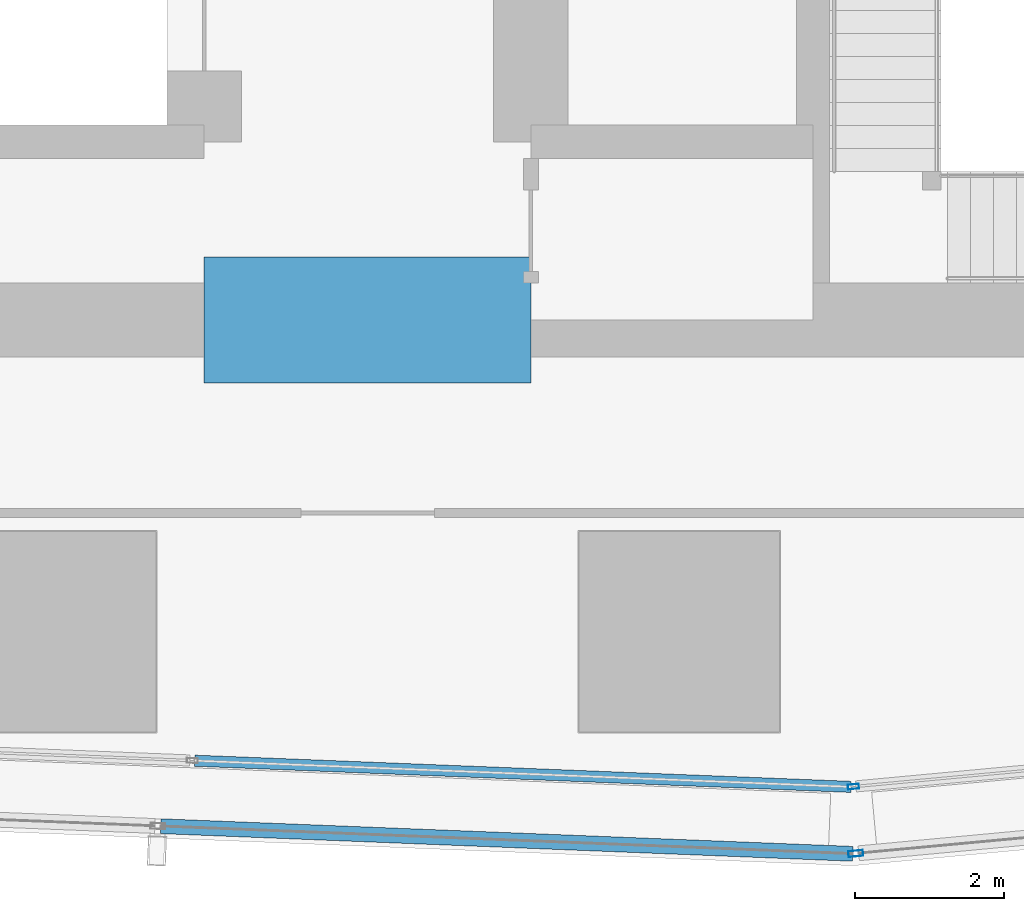
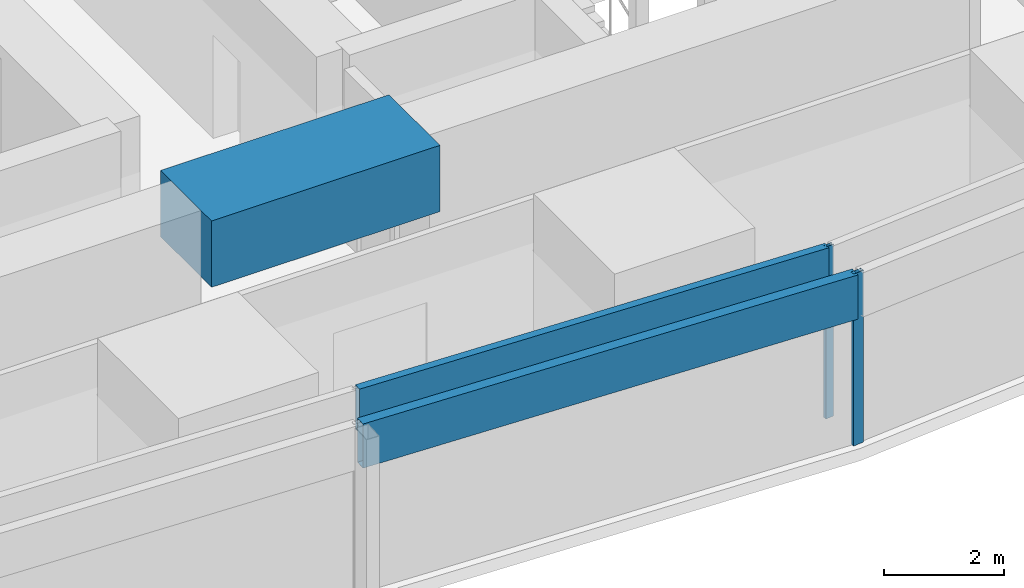
# One storey, part 8 of 36: 4 members, 1 beam, 4 elements without a shape of their own.
"""IFC4 building model written with IfcOpenShell, lengths in metres."""

import ifcopenshell
import ifcopenshell.guid

model = None  # the IFC model being written
_history = None  # IfcOwnerHistory: only IFC2X3 demands one
_inside = {}  # id of a spatial element -> (the spatial element, [elements in it])
_under = {}  # id of a project, library or spatial element -> (it, [spatial elements below it])
_declared = {}  # id of a project -> (the project, [libraries it declares])
_typed = {}  # id of a type object -> (the type object, [elements of that type])
_made_of = {}  # id of a material, layer set ... -> (it, [elements and type objects made of it])


def new_model(schema):
    """Start an empty IFC model of exactly this schema.

    Asked for "IFC4X3", IfcOpenShell would pick the latest addendum, in which some entities
    have other attributes; the version numbers below select the first issue.
    IFC2X3 requires an IfcOwnerHistory on every rooted entity: one is made here for all.
    """
    global model, _history
    if schema == "IFC4X3":
        model = ifcopenshell.file(schema_version=(4, 3, 0, 0))
    else:
        model = ifcopenshell.file(schema=schema)
    _inside.clear()
    _under.clear()
    _declared.clear()
    _typed.clear()
    _made_of.clear()
    _history = None
    if model.schema == "IFC2X3":
        org = make("IfcOrganization", Name="unknown")
        user = make(
            "IfcPersonAndOrganization",
            ThePerson=make("IfcPerson", FamilyName="unknown"),
            TheOrganization=org,
        )
        app = make(
            "IfcApplication",
            ApplicationDeveloper=org,
            Version="unknown",
            ApplicationFullName="unknown",
            ApplicationIdentifier="unknown",
        )
        _history = make(
            "IfcOwnerHistory",
            OwningUser=user,
            OwningApplication=app,
            ChangeAction="ADDED",
            CreationDate=0,
        )
    return model


def make(cls, **values):
    """One entity of the class cls with the attributes given. An attribute that is None is left unset."""
    return model.create_entity(
        cls, **{name: value for name, value in values.items() if value is not None}
    )


def rooted(cls, **values):
    """An entity with a GlobalId (a new one), such as an element, a storey or a relation."""
    return make(cls, GlobalId=ifcopenshell.guid.new(), OwnerHistory=_history, **values)


def si_unit(unit_type, name, prefix=None):
    """IfcSIUnit, for example si_unit("LENGTHUNIT", "METRE", prefix="MILLI")."""
    return make("IfcSIUnit", UnitType=unit_type, Prefix=prefix, Name=name)


def assignment(units):
    """IfcUnitAssignment: the units of a project."""
    return None if units is None else make("IfcUnitAssignment", Units=units)


def point(xyz):
    """IfcCartesianPoint."""
    return None if xyz is None else make("IfcCartesianPoint", Coordinates=xyz)


def direction(xyz):
    """IfcDirection."""
    return None if xyz is None else make("IfcDirection", DirectionRatios=xyz)


def frame(location, z_axis=None, x_axis=None):
    """IfcAxis2Placement3D, a coordinate frame: its origin and axes. An axis left out is left unset."""
    return make(
        "IfcAxis2Placement3D",
        Location=point(location),
        Axis=direction(z_axis),
        RefDirection=direction(x_axis),
    )


def frame_2d(location, x_axis=None):
    """IfcAxis2Placement2D, a coordinate frame in the plane: its origin and x axis."""
    return make(
        "IfcAxis2Placement2D", Location=point(location), RefDirection=direction(x_axis)
    )


def origin():
    """The frame at (0, 0, 0) with its axes left unset."""
    return frame((0.0, 0.0, 0.0))


def origin_2d():
    """The frame at (0, 0) in the plane with its x axis left unset."""
    return frame_2d((0.0, 0.0))


def place(relative_to, where):
    """IfcLocalPlacement: puts the frame where relative to a parent placement (None: the world)."""
    return make(
        "IfcLocalPlacement", PlacementRelTo=relative_to, RelativePlacement=where
    )


def context(
    kind, dimensions, precision=None, world=None, true_north=None, identifier=None
):
    """IfcGeometricRepresentationContext, for example the 3D "Model" context."""
    return make(
        "IfcGeometricRepresentationContext",
        ContextIdentifier=identifier,
        ContextType=kind,
        CoordinateSpaceDimension=dimensions,
        Precision=precision,
        WorldCoordinateSystem=world,
        TrueNorth=true_north,
    )


def subcontext(parent, identifier, kind, view, scale=None):
    """IfcGeometricRepresentationSubContext, for example "Body" below "Model"."""
    return make(
        "IfcGeometricRepresentationSubContext",
        ContextIdentifier=identifier,
        ContextType=kind,
        ParentContext=parent,
        TargetScale=scale,
        TargetView=view,
    )


def project(units=None, contexts=None):
    """IfcProject with its units and contexts."""
    return rooted(
        "IfcProject",
        Name="project",
        RepresentationContexts=contexts,
        UnitsInContext=assignment(units),
    )


def spatial(cls, under=None, at=None, **own):
    """A site, building, storey or space (cls), placed at a placement, below another one or the project."""
    s = rooted(cls, ObjectPlacement=at, **own)
    if under is not None:
        _under.setdefault(under.id(), (under, []))[1].append(s)
    return s


def profile(cls, at=None, kind="AREA", **sizes):
    """A parametric profile (cls). Its sizes go by their IFC names, for example OverallWidth=200.0."""
    return make(cls, ProfileType=kind, Position=at, **sizes)


def rectangle(**sizes):
    """IfcRectangleProfileDef."""
    return profile("IfcRectangleProfileDef", **sizes)


def hollow_rectangle(**sizes):
    """IfcRectangleHollowProfileDef."""
    return profile("IfcRectangleHollowProfileDef", **sizes)


def extrude(swept, where, along, depth):
    """IfcExtrudedAreaSolid: the profile swept, set in the frame where, extruded along a direction by depth."""
    return make(
        "IfcExtrudedAreaSolid",
        SweptArea=swept,
        Position=where,
        ExtrudedDirection=direction(along),
        Depth=depth,
    )


def shape(context_of_items, identifier, shape_type, items):
    """IfcShapeRepresentation: the items that make up one representation, for example the "Body"."""
    return make(
        "IfcShapeRepresentation",
        ContextOfItems=context_of_items,
        RepresentationIdentifier=identifier,
        RepresentationType=shape_type,
        Items=items,
    )


def material(Name=None, Category=None):
    """IfcMaterial."""
    return make("IfcMaterial", Name=Name, Category=Category)


def material_profile(
    of_material, cross_section, Name=None, Category=None, Priority=None
):
    """IfcMaterialProfile: a cross section and its material."""
    return make(
        "IfcMaterialProfile",
        Name=Name,
        Material=of_material,
        Profile=cross_section,
        Priority=Priority,
        Category=Category,
    )


def profile_set(profiles, Name=None, composite=None):
    """IfcMaterialProfileSet."""
    return make(
        "IfcMaterialProfileSet",
        Name=Name,
        MaterialProfiles=profiles,
        CompositeProfile=composite,
    )


def made_of(thing, what):
    """Note that an element or type object is made of a material, layer set ...; save() writes the relation."""
    if what is not None:
        _made_of.setdefault(what.id(), (what, []))[1].append(thing)
    return thing


def type_object(cls, material=None, **own):
    """A type object (cls), such as IfcWallType, which elements share."""
    return made_of(rooted(cls, **own), material)


def element(
    cls,
    number,
    at=None,
    inside=None,
    cuts=None,
    type_object=None,
    material=None,
    context=None,
    identifier="Body",
    shape_type=None,
    held_by="IfcProductDefinitionShape",
    body=None,
    shapes=None,
    **own,
):
    """One element of the class cls, such as IfcWall. Its Tag is "e" and its number.

    at: its placement. inside: the storey or other place that contains it. cuts: it is an
    opening in that element (IfcRelVoidsElement). A single representation is given by context,
    identifier, shape_type and body (its items); several are given by shapes. held_by: the class
    of the entity that holds the representations. save() writes the other relations.
    """
    e = rooted(cls, Tag="e%d" % number, ObjectPlacement=at, **own)
    if body is not None:
        shapes = [shape(context, identifier, shape_type, body)]
    if shapes is not None:
        e.Representation = make(held_by, Representations=shapes)
    if inside is not None:
        _inside.setdefault(inside.id(), (inside, []))[1].append(e)
    if cuts is not None:
        rooted(
            "IfcRelVoidsElement", RelatingBuildingElement=cuts, RelatedOpeningElement=e
        )
    if type_object is not None:
        _typed.setdefault(type_object.id(), (type_object, []))[1].append(e)
    return made_of(e, material)


def aggregate(whole, parts):
    """IfcRelAggregates: a whole, such as a stair, and the parts it consists of."""
    return rooted("IfcRelAggregates", RelatingObject=whole, RelatedObjects=parts)


def save(model, path):
    """Write the relations noted so far, then the file.

    IfcRelAggregates (storeys below a building ...), IfcRelContainedInSpatialStructure (elements
    in a storey), IfcRelDefinesByType, IfcRelAssociatesMaterial and IfcRelDeclares: one each for
    every whole, place, type object, material and project.
    """
    for whole, parts in _under.values():
        aggregate(whole, parts)
    for where, things in _inside.values():
        rooted(
            "IfcRelContainedInSpatialStructure",
            RelatedElements=things,
            RelatingStructure=where,
        )
    for kind, things in _typed.values():
        rooted("IfcRelDefinesByType", RelatedObjects=things, RelatingType=kind)
    for what, things in _made_of.values():
        rooted("IfcRelAssociatesMaterial", RelatedObjects=things, RelatingMaterial=what)
    for by, libraries in _declared.values():
        rooted("IfcRelDeclares", RelatingContext=by, RelatedDefinitions=libraries)
    model.write(path)


model = new_model("IFC4")

# Units and contexts
model_context = context("Model", 3, precision=1e-05, world=origin(), true_north=direction((0.0, 1.0)))
body_context = subcontext(model_context, "Body", "Model", "MODEL_VIEW")
ifc_project = project(units=[si_unit("LENGTHUNIT", "METRE"), si_unit("AREAUNIT", "SQUARE_METRE"), si_unit("VOLUMEUNIT", "CUBIC_METRE"), si_unit("PLANEANGLEUNIT", "RADIAN"), si_unit("MASSUNIT", "GRAM", prefix="KILO")], contexts=[model_context])

# Site, building, storey
site_placement = place(None, origin())
site = spatial("IfcSite", under=ifc_project, at=site_placement, CompositionType="ELEMENT")
building_placement = place(site_placement, origin())
building = spatial("IfcBuilding", under=site, at=building_placement, Name="Rekha Terrace Tower", CompositionType="ELEMENT")
storey_placement = place(building_placement, frame((0.0, 0.0, 172.699951171875)))
storey = spatial("IfcBuildingStorey", under=building, at=storey_placement, Name="L43", CompositionType="ELEMENT", Elevation=172.699951171875)

# Curtain wall, member
ifc_material_1 = material(Name="Aluminium framing", Category="aluminium")
curtain_wall_type_1 = type_object("IfcCurtainWallType", Name="CW1 double skin inner glazing", PredefinedType="USERDEFINED", material=ifc_material_1)
curtain_wall_1_placement = place(storey_placement, origin())
curtain_wall_1 = element("IfcCurtainWall", 1, at=curtain_wall_1_placement, inside=storey, type_object=curtain_wall_type_1, Name="CW1 double skin inner glazing", ObjectType="DOUBLE SKIN INNER GLAZING", PredefinedType="USERDEFINED")
ifc_material_2 = material(Name="Aluminium mullion section", Category="aluminium")
ifc_material_profile_1 = material_profile(ifc_material_2, hollow_rectangle(XDim=0.06494140625, YDim=0.14990234375, WallThickness=0.00390625, at=origin_2d()), Name="AL RHS 65x150")
ifc_profile_set_1 = profile_set([ifc_material_profile_1], Name="Aluminium mullion section")
member_type_1 = type_object("IfcMemberType", Name="CW1 mullion RHS 65 x 150", PredefinedType="MULLION", material=ifc_profile_set_1)
member_1_placement = place(storey_placement, frame((44.34423828125, 14.715087890625, 0.0), z_axis=(0.0, 0.0, 1.0), x_axis=(-0.092708869598, 0.995693258739, 0.0)))
member_1 = element("IfcMember", 2, at=member_1_placement, type_object=member_type_1, Name="CW1 mullion 1", PredefinedType="MULLION", context=body_context, shape_type="SweptSolid", body=[
    extrude(hollow_rectangle(XDim=0.06494140625, YDim=0.14990234375, WallThickness=0.00390625, at=origin_2d()), origin(), (0.0, 0.0, 1.0), 3.5),
])
aggregate(curtain_wall_1, [member_1])

curtain_wall_2_placement = place(storey_placement, origin())
curtain_wall_2 = element("IfcCurtainWall", 3, at=curtain_wall_2_placement, inside=storey, type_object=curtain_wall_type_1, Name="CW1 double skin inner glazing", ObjectType="DOUBLE SKIN INNER GLAZING", PredefinedType="USERDEFINED")
ifc_material_3 = material(Name="Insulated aluminium spandrel box", Category="aluminium")
ifc_material_profile_2 = material_profile(ifc_material_3, hollow_rectangle(XDim=0.14990234375, YDim=0.89990234375, WallThickness=0.0029296875, at=origin_2d()), Name="AL SPANDREL BOX 150x900")
ifc_profile_set_2 = profile_set([ifc_material_profile_2], Name="Insulated aluminium spandrel box")
member_type_2 = type_object("IfcMemberType", Name="CW1 spandrel transom 150 x 900", PredefinedType="USERDEFINED", material=ifc_profile_set_2)
member_2_placement = place(storey_placement, frame((35.472900390625, 15.064697265625, 3.050048828125), z_axis=(0.999204437904, -0.039880963782, 0.0), x_axis=(0.039880963782, 0.999204437904, 0.0)))
member_2 = element("IfcMember", 4, at=member_2_placement, type_object=member_type_2, Name="CW1 spandrel transom 2", ObjectType="TRANSOM", PredefinedType="USERDEFINED", context=body_context, shape_type="SweptSolid", body=[
    extrude(hollow_rectangle(XDim=0.14990234375, YDim=0.89990234375, WallThickness=0.0029296875, at=origin_2d()), origin(), (0.0, 0.0, 1.0), 8.845947265625),
])
aggregate(curtain_wall_2, [member_2])

curtain_wall_type_2 = type_object("IfcCurtainWallType", Name="CW2 double skin outer glazing", PredefinedType="USERDEFINED", material=ifc_material_1)
curtain_wall_3_placement = place(storey_placement, origin())
curtain_wall_3 = element("IfcCurtainWall", 5, at=curtain_wall_3_placement, inside=storey, type_object=curtain_wall_type_2, Name="CW2 double skin outer glazing", ObjectType="DOUBLE SKIN OUTER GLAZING", PredefinedType="USERDEFINED")
ifc_material_profile_3 = material_profile(ifc_material_2, hollow_rectangle(XDim=0.080078125, YDim=0.199951171875, WallThickness=0.00390625, at=origin_2d()), Name="AL RHS 80x200")
ifc_profile_set_3 = profile_set([ifc_material_profile_3], Name="Aluminium mullion section")
member_type_3 = type_object("IfcMemberType", Name="CW2 mullion RHS 80 x 200", PredefinedType="MULLION", material=ifc_profile_set_3)
member_3_placement = place(storey_placement, frame((44.37548828125, 13.81396484375, 0.0), z_axis=(0.0, 0.0, 1.0), x_axis=(-0.092708869512, 0.995693258747, 0.0)))
member_3 = element("IfcMember", 6, at=member_3_placement, type_object=member_type_3, Name="CW2 mullion 1", PredefinedType="MULLION", context=body_context, shape_type="SweptSolid", body=[
    extrude(hollow_rectangle(XDim=0.080078125, YDim=0.199951171875, WallThickness=0.00390625, at=origin_2d()), origin(), (0.0, 0.0, 1.0), 3.5),
])
aggregate(curtain_wall_3, [member_3])

curtain_wall_4_placement = place(storey_placement, origin())
curtain_wall_4 = element("IfcCurtainWall", 7, at=curtain_wall_4_placement, inside=storey, type_object=curtain_wall_type_2, Name="CW2 double skin outer glazing", ObjectType="DOUBLE SKIN OUTER GLAZING", PredefinedType="USERDEFINED")
ifc_material_profile_4 = material_profile(ifc_material_3, hollow_rectangle(XDim=0.199951171875, YDim=0.89990234375, WallThickness=0.0029296875, at=origin_2d()), Name="AL SPANDREL BOX 200x900")
ifc_profile_set_4 = profile_set([ifc_material_profile_4], Name="Insulated aluminium spandrel box")
member_type_4 = type_object("IfcMemberType", Name="CW2 spandrel transom 200 x 900", PredefinedType="USERDEFINED", material=ifc_profile_set_4)
member_4_placement = place(storey_placement, frame((35.01708984375, 14.18212890625, 3.050048828125), z_axis=(0.999204884837, -0.039869764458, 0.0), x_axis=(0.039869764458, 0.999204884837, 0.0)))
member_4 = element("IfcMember", 8, at=member_4_placement, type_object=member_type_4, Name="CW2 spandrel transom 4", ObjectType="TRANSOM", PredefinedType="USERDEFINED", context=body_context, shape_type="SweptSolid", body=[
    extrude(hollow_rectangle(XDim=0.199951171875, YDim=0.89990234375, WallThickness=0.0029296875, at=origin_2d()), origin(), (0.0, 0.0, 1.0), 9.325927734375),
])
aggregate(curtain_wall_4, [member_4])

# Beam
ifc_material_4 = material(Name="Concrete M60", Category="concrete")
ifc_material_profile_5 = material_profile(ifc_material_4, rectangle(XDim=1.699951171875, YDim=1.35009765625, at=origin_2d()), Name="RC 1700x1350")
ifc_profile_set_5 = profile_set([ifc_material_profile_5], Name="Concrete M60")
beam_type = type_object("IfcBeamType", Name="LB3A 1700x1350 diagonally reinforced coupling beam", PredefinedType="LINTEL", material=ifc_profile_set_5)
beam_placement = place(storey_placement, frame((35.60009765625, 21.0, 3.074951171875), z_axis=(1.0, 0.0, 0.0), x_axis=(0.0, 1.0, 0.0)))
element("IfcBeam", 9, at=beam_placement, inside=storey, type_object=beam_type, Name="Coupling beam LB3A S L43", PredefinedType="LINTEL", context=body_context, shape_type="SweptSolid", body=[
    extrude(rectangle(XDim=1.699951171875, YDim=1.35009765625, at=origin_2d()), origin(), (0.0, 0.0, 1.0), 4.39990234375),
])

save(model, "model.ifc")
